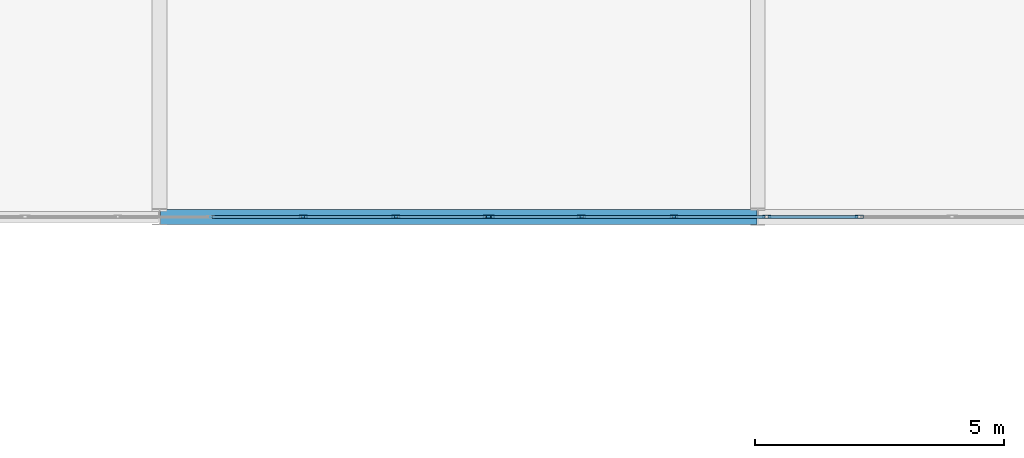
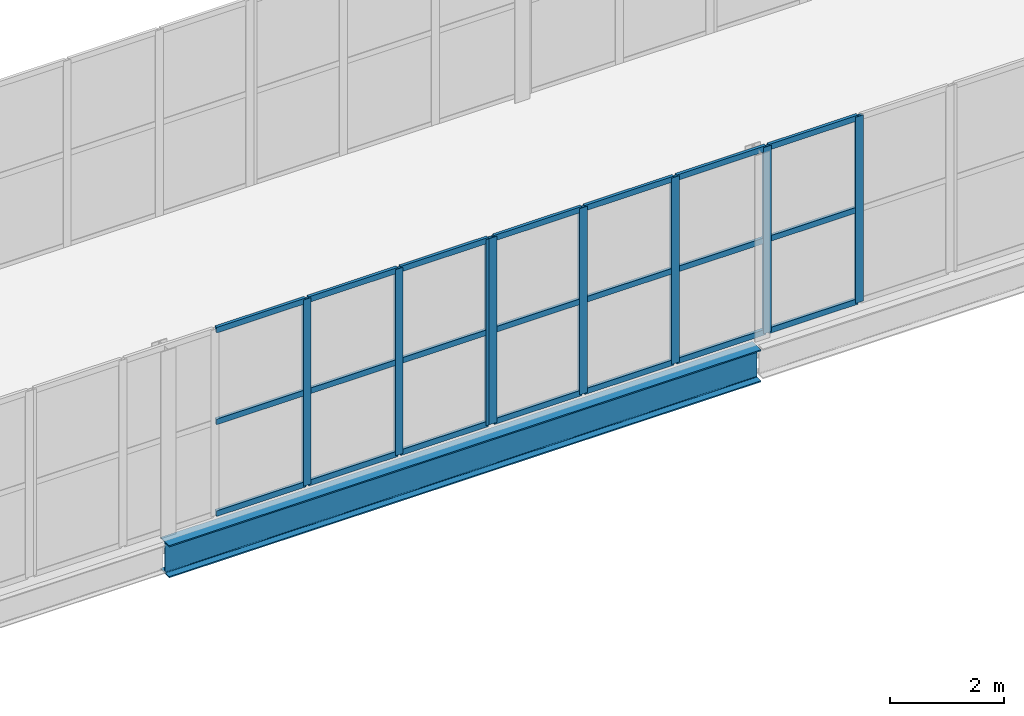
# One storey, part 51 of 138: 29 members, 1 beam, 2 elements without a shape of their own.
"""IFC4 building model written with IfcOpenShell, lengths in metres."""

from ifc_helpers import new_model, si_unit, direction, frame, origin, origin_2d, place, context, subcontext, project, spatial, hollow_rectangle, i_section, extrude, material, layer, layer_set, material_profile, profile_set, type_object, element, aggregate, save


model = new_model("IFC4")

# Units and contexts
model_context = context("Model", 3, precision=1e-05, world=origin(), true_north=direction((0.0, 1.0)))
body_context = subcontext(model_context, "Body", "Model", "MODEL_VIEW")
ifc_project = project(units=[si_unit("LENGTHUNIT", "METRE"), si_unit("AREAUNIT", "SQUARE_METRE"), si_unit("VOLUMEUNIT", "CUBIC_METRE"), si_unit("PLANEANGLEUNIT", "RADIAN"), si_unit("MASSUNIT", "GRAM", prefix="KILO")], contexts=[model_context])

# Site, building, storey
site_placement = place(None, origin())
site = spatial("IfcSite", under=ifc_project, at=site_placement, CompositionType="ELEMENT")
building_placement = place(site_placement, origin())
building = spatial("IfcBuilding", under=site, at=building_placement, Name="Vinh Khe Railworks Police Headquarters", CompositionType="ELEMENT")
storey_placement = place(building_placement, frame((0.0, 0.0, 9.0)))
storey = spatial("IfcBuildingStorey", under=building, at=storey_placement, Name="L02", CompositionType="ELEMENT", Elevation=9.0)

# Curtain wall, members
ifc_material_1 = material(Name="Anodised aluminium and solar-control glass", Category="aluminium")
ifc_layer = layer(ifc_material_1, 0.159912109375)
ifc_layer_set = layer_set([ifc_layer], Name="Anodised aluminium and solar-control glass")
curtain_wall_type = type_object("IfcCurtainWallType", Name="CW-SHOPFRONT", PredefinedType="USERDEFINED", material=ifc_layer_set)
curtain_wall_1_placement = place(storey_placement, origin())
curtain_wall_1 = element("IfcCurtainWall", 1, at=curtain_wall_1_placement, inside=storey, type_object=curtain_wall_type, Name="Link Bridge South Glazing L02 Bay 2", ObjectType="UNITISED GLAZING", PredefinedType="USERDEFINED")
ifc_material_2 = material(Name="Anodised aluminium 6063-T6", Category="aluminium")
ifc_material_profile_1 = material_profile(ifc_material_2, hollow_rectangle(XDim=0.06005859375, YDim=0.159912109375, WallThickness=0.00390625, at=origin_2d()), Name="CW-M 60x160x4")
ifc_profile_set_1 = profile_set([ifc_material_profile_1], Name="Anodised aluminium 6063-T6")
member_type_1 = type_object("IfcMemberType", Name="MULL-CWM-01", PredefinedType="MULLION", material=ifc_profile_set_1)
member_1_placement = place(storey_placement, frame((37.080078125, 96.0, 0.0), z_axis=(0.0, 0.0, 1.0), x_axis=(0.0, 1.0, 0.0)))
member_1 = element("IfcMember", 2, at=member_1_placement, type_object=member_type_1, Name="CW-03 mullion 4", PredefinedType="MULLION", context=body_context, shape_type="SweptSolid", body=[
    extrude(hollow_rectangle(XDim=0.06005859375, YDim=0.159912109375, WallThickness=0.00390625, at=origin_2d()), origin(), (0.0, 0.0, 1.0), 3.97998046875),
])
member_2_placement = place(storey_placement, frame((38.93994140625, 96.0, 0.0), z_axis=(0.0, 0.0, 1.0), x_axis=(0.0, 1.0, 0.0)))
member_2 = element("IfcMember", 3, at=member_2_placement, type_object=member_type_1, Name="CW-03 mullion 5", PredefinedType="MULLION", context=body_context, shape_type="SweptSolid", body=[
    extrude(hollow_rectangle(XDim=0.06005859375, YDim=0.159912109375, WallThickness=0.00390625, at=origin_2d()), origin(), (0.0, 0.0, 1.0), 3.97998046875),
])
member_3_placement = place(storey_placement, frame((40.77001953125, 96.0, 0.0), z_axis=(0.0, 0.0, 1.0), x_axis=(0.0, 1.0, 0.0)))
member_3 = element("IfcMember", 4, at=member_3_placement, type_object=member_type_1, Name="CW-03 mullion 6", PredefinedType="MULLION", context=body_context, shape_type="SweptSolid", body=[
    extrude(hollow_rectangle(XDim=0.06005859375, YDim=0.159912109375, WallThickness=0.00390625, at=origin_2d()), origin(), (0.0, 0.0, 1.0), 3.97998046875),
])

curtain_wall_2_placement = place(storey_placement, origin())
curtain_wall_2 = element("IfcCurtainWall", 5, at=curtain_wall_2_placement, inside=storey, type_object=curtain_wall_type, Name="Link Bridge South Glazing L02 Bay 3", ObjectType="UNITISED GLAZING", PredefinedType="USERDEFINED")
member_4_placement = place(storey_placement, frame((40.830078125, 96.0, 0.0), z_axis=(0.0, 0.0, 1.0), x_axis=(0.0, 1.0, 0.0)))
member_4 = element("IfcMember", 6, at=member_4_placement, type_object=member_type_1, Name="CW-03 mullion 1", PredefinedType="MULLION", context=body_context, shape_type="SweptSolid", body=[
    extrude(hollow_rectangle(XDim=0.06005859375, YDim=0.159912109375, WallThickness=0.00390625, at=origin_2d()), origin(), (0.0, 0.0, 1.0), 3.97998046875),
])
member_5_placement = place(storey_placement, frame((42.659912109375, 96.0, 0.0), z_axis=(0.0, 0.0, 1.0), x_axis=(0.0, 1.0, 0.0)))
member_5 = element("IfcMember", 7, at=member_5_placement, type_object=member_type_1, Name="CW-03 mullion 2", PredefinedType="MULLION", context=body_context, shape_type="SweptSolid", body=[
    extrude(hollow_rectangle(XDim=0.06005859375, YDim=0.159912109375, WallThickness=0.00390625, at=origin_2d()), origin(), (0.0, 0.0, 1.0), 3.97998046875),
])
member_6_placement = place(storey_placement, frame((44.52001953125, 96.0, 0.0), z_axis=(0.0, 0.0, 1.0), x_axis=(0.0, 1.0, 0.0)))
member_6 = element("IfcMember", 8, at=member_6_placement, type_object=member_type_1, Name="CW-03 mullion 3", PredefinedType="MULLION", context=body_context, shape_type="SweptSolid", body=[
    extrude(hollow_rectangle(XDim=0.06005859375, YDim=0.159912109375, WallThickness=0.00390625, at=origin_2d()), origin(), (0.0, 0.0, 1.0), 3.97998046875),
])
member_7_placement = place(storey_placement, frame((46.3798828125, 96.0, 0.0), z_axis=(0.0, 0.0, 1.0), x_axis=(0.0, 1.0, 0.0)))
member_7 = element("IfcMember", 9, at=member_7_placement, type_object=member_type_1, Name="CW-03 mullion 4", PredefinedType="MULLION", context=body_context, shape_type="SweptSolid", body=[
    extrude(hollow_rectangle(XDim=0.06005859375, YDim=0.159912109375, WallThickness=0.00390625, at=origin_2d()), origin(), (0.0, 0.0, 1.0), 3.97998046875),
])
member_8_placement = place(storey_placement, frame((48.239990234375, 96.0, 0.0), z_axis=(0.0, 0.0, 1.0), x_axis=(0.0, 1.0, 0.0)))
member_8 = element("IfcMember", 10, at=member_8_placement, type_object=member_type_1, Name="CW-03 mullion 5", PredefinedType="MULLION", context=body_context, shape_type="SweptSolid", body=[
    extrude(hollow_rectangle(XDim=0.06005859375, YDim=0.159912109375, WallThickness=0.00390625, at=origin_2d()), origin(), (0.0, 0.0, 1.0), 3.97998046875),
])

# Beam
ifc_material_3 = material(Name="Steel S355JR", Category="steel")
ifc_material_profile_2 = material_profile(ifc_material_3, i_section(OverallWidth=0.300048828125, OverallDepth=0.68994140625, WebThickness=0.014404296875, FlangeThickness=0.027099609375, FilletRadius=0.027099609375, at=origin_2d()), Name="HEA 700")
ifc_profile_set_2 = profile_set([ifc_material_profile_2], Name="Steel S355JR")
beam_type = type_object("IfcBeamType", Name="Steel Girder HEA 700", PredefinedType="BEAM", material=ifc_profile_set_2)
beam_placement = place(storey_placement, frame((34.219970703125, 96.0, -0.56494140625), z_axis=(1.0, 0.0, 0.0), x_axis=(0.0, 1.0, 0.0)))
element("IfcBeam", 11, at=beam_placement, inside=storey, type_object=beam_type, Name="Girder BM-L02-EW-SB-08-0808", PredefinedType="BEAM", context=body_context, shape_type="SweptSolid", body=[
    extrude(i_section(OverallWidth=0.300048828125, OverallDepth=0.68994140625, WebThickness=0.014404296875, FlangeThickness=0.027099609375, FilletRadius=0.027099609375, at=origin_2d()), origin(), (0.0, 0.0, 1.0), 11.9599609375),
])

# Member
ifc_material_profile_3 = material_profile(ifc_material_2, hollow_rectangle(XDim=0.06005859375, YDim=0.1201171875, WallThickness=0.00390625, at=origin_2d()), Name="CW-T 60x120x4")
ifc_profile_set_3 = profile_set([ifc_material_profile_3], Name="Anodised aluminium 6063-T6")
member_type_2 = type_object("IfcMemberType", Name="TRAN-CWT-01", PredefinedType="USERDEFINED", material=ifc_profile_set_3)
member_9_placement = place(storey_placement, frame((35.25, 96.0, 0.030029296875), z_axis=(1.0, 0.0, 0.0), x_axis=(0.0, 1.0, 0.0)))
member_9 = element("IfcMember", 12, at=member_9_placement, type_object=member_type_2, Name="CW-03 transom 3.1", ObjectType="TRANSOM", PredefinedType="USERDEFINED", context=body_context, shape_type="SweptSolid", body=[
    extrude(hollow_rectangle(XDim=0.06005859375, YDim=0.1201171875, WallThickness=0.00390625, at=origin_2d()), origin(), (0.0, 0.0, 1.0), 1.800048828125),
])

member_10_placement = place(storey_placement, frame((35.25, 96.0, 1.989990234375), z_axis=(1.0, 0.0, 0.0), x_axis=(0.0, 1.0, 0.0)))
member_10 = element("IfcMember", 13, at=member_10_placement, type_object=member_type_2, Name="CW-03 transom 3.2", ObjectType="TRANSOM", PredefinedType="USERDEFINED", context=body_context, shape_type="SweptSolid", body=[
    extrude(hollow_rectangle(XDim=0.06005859375, YDim=0.1201171875, WallThickness=0.00390625, at=origin_2d()), origin(), (0.0, 0.0, 1.0), 1.800048828125),
])

member_11_placement = place(storey_placement, frame((35.25, 96.0, 3.949951171875), z_axis=(1.0, 0.0, 0.0), x_axis=(0.0, 1.0, 0.0)))
member_11 = element("IfcMember", 14, at=member_11_placement, type_object=member_type_2, Name="CW-03 transom 3.3", ObjectType="TRANSOM", PredefinedType="USERDEFINED", context=body_context, shape_type="SweptSolid", body=[
    extrude(hollow_rectangle(XDim=0.06005859375, YDim=0.1201171875, WallThickness=0.00390625, at=origin_2d()), origin(), (0.0, 0.0, 1.0), 1.800048828125),
])

member_12_placement = place(storey_placement, frame((37.110107421875, 96.0, 0.030029296875), z_axis=(1.0, 0.0, 0.0), x_axis=(0.0, 1.0, 0.0)))
member_12 = element("IfcMember", 15, at=member_12_placement, type_object=member_type_2, Name="CW-03 transom 4.1", ObjectType="TRANSOM", PredefinedType="USERDEFINED", context=body_context, shape_type="SweptSolid", body=[
    extrude(hollow_rectangle(XDim=0.06005859375, YDim=0.1201171875, WallThickness=0.00390625, at=origin_2d()), origin(), (0.0, 0.0, 1.0), 1.7998046875),
])

member_13_placement = place(storey_placement, frame((37.110107421875, 96.0, 1.989990234375), z_axis=(1.0, 0.0, 0.0), x_axis=(0.0, 1.0, 0.0)))
member_13 = element("IfcMember", 16, at=member_13_placement, type_object=member_type_2, Name="CW-03 transom 4.2", ObjectType="TRANSOM", PredefinedType="USERDEFINED", context=body_context, shape_type="SweptSolid", body=[
    extrude(hollow_rectangle(XDim=0.06005859375, YDim=0.1201171875, WallThickness=0.00390625, at=origin_2d()), origin(), (0.0, 0.0, 1.0), 1.7998046875),
])

member_14_placement = place(storey_placement, frame((37.110107421875, 96.0, 3.949951171875), z_axis=(1.0, 0.0, 0.0), x_axis=(0.0, 1.0, 0.0)))
member_14 = element("IfcMember", 17, at=member_14_placement, type_object=member_type_2, Name="CW-03 transom 4.3", ObjectType="TRANSOM", PredefinedType="USERDEFINED", context=body_context, shape_type="SweptSolid", body=[
    extrude(hollow_rectangle(XDim=0.06005859375, YDim=0.1201171875, WallThickness=0.00390625, at=origin_2d()), origin(), (0.0, 0.0, 1.0), 1.7998046875),
])

member_15_placement = place(storey_placement, frame((38.969970703125, 96.0, 0.030029296875), z_axis=(1.0, 0.0, 0.0), x_axis=(0.0, 1.0, 0.0)))
member_15 = element("IfcMember", 18, at=member_15_placement, type_object=member_type_2, Name="CW-03 transom 5.1", ObjectType="TRANSOM", PredefinedType="USERDEFINED", context=body_context, shape_type="SweptSolid", body=[
    extrude(hollow_rectangle(XDim=0.06005859375, YDim=0.1201171875, WallThickness=0.00390625, at=origin_2d()), origin(), (0.0, 0.0, 1.0), 1.77001953125),
])

member_16_placement = place(storey_placement, frame((38.969970703125, 96.0, 1.989990234375), z_axis=(1.0, 0.0, 0.0), x_axis=(0.0, 1.0, 0.0)))
member_16 = element("IfcMember", 19, at=member_16_placement, type_object=member_type_2, Name="CW-03 transom 5.2", ObjectType="TRANSOM", PredefinedType="USERDEFINED", context=body_context, shape_type="SweptSolid", body=[
    extrude(hollow_rectangle(XDim=0.06005859375, YDim=0.1201171875, WallThickness=0.00390625, at=origin_2d()), origin(), (0.0, 0.0, 1.0), 1.77001953125),
])

member_17_placement = place(storey_placement, frame((38.969970703125, 96.0, 3.949951171875), z_axis=(1.0, 0.0, 0.0), x_axis=(0.0, 1.0, 0.0)))
member_17 = element("IfcMember", 20, at=member_17_placement, type_object=member_type_2, Name="CW-03 transom 5.3", ObjectType="TRANSOM", PredefinedType="USERDEFINED", context=body_context, shape_type="SweptSolid", body=[
    extrude(hollow_rectangle(XDim=0.06005859375, YDim=0.1201171875, WallThickness=0.00390625, at=origin_2d()), origin(), (0.0, 0.0, 1.0), 1.77001953125),
])

aggregate(curtain_wall_1, [member_1, member_2, member_3, member_9, member_10, member_11, member_12, member_13, member_14, member_15, member_16, member_17])

member_18_placement = place(storey_placement, frame((40.860107421875, 96.0, 0.030029296875), z_axis=(1.0, 0.0, 0.0), x_axis=(0.0, 1.0, 0.0)))
member_18 = element("IfcMember", 21, at=member_18_placement, type_object=member_type_2, Name="CW-03 transom 1.1", ObjectType="TRANSOM", PredefinedType="USERDEFINED", context=body_context, shape_type="SweptSolid", body=[
    extrude(hollow_rectangle(XDim=0.06005859375, YDim=0.1201171875, WallThickness=0.00390625, at=origin_2d()), origin(), (0.0, 0.0, 1.0), 1.769775390625),
])

member_19_placement = place(storey_placement, frame((40.860107421875, 96.0, 1.989990234375), z_axis=(1.0, 0.0, 0.0), x_axis=(0.0, 1.0, 0.0)))
member_19 = element("IfcMember", 22, at=member_19_placement, type_object=member_type_2, Name="CW-03 transom 1.2", ObjectType="TRANSOM", PredefinedType="USERDEFINED", context=body_context, shape_type="SweptSolid", body=[
    extrude(hollow_rectangle(XDim=0.06005859375, YDim=0.1201171875, WallThickness=0.00390625, at=origin_2d()), origin(), (0.0, 0.0, 1.0), 1.769775390625),
])

member_20_placement = place(storey_placement, frame((40.860107421875, 96.0, 3.949951171875), z_axis=(1.0, 0.0, 0.0), x_axis=(0.0, 1.0, 0.0)))
member_20 = element("IfcMember", 23, at=member_20_placement, type_object=member_type_2, Name="CW-03 transom 1.3", ObjectType="TRANSOM", PredefinedType="USERDEFINED", context=body_context, shape_type="SweptSolid", body=[
    extrude(hollow_rectangle(XDim=0.06005859375, YDim=0.1201171875, WallThickness=0.00390625, at=origin_2d()), origin(), (0.0, 0.0, 1.0), 1.769775390625),
])

member_21_placement = place(storey_placement, frame((42.68994140625, 96.0, 0.030029296875), z_axis=(1.0, 0.0, 0.0), x_axis=(0.0, 1.0, 0.0)))
member_21 = element("IfcMember", 24, at=member_21_placement, type_object=member_type_2, Name="CW-03 transom 2.1", ObjectType="TRANSOM", PredefinedType="USERDEFINED", context=body_context, shape_type="SweptSolid", body=[
    extrude(hollow_rectangle(XDim=0.06005859375, YDim=0.1201171875, WallThickness=0.00390625, at=origin_2d()), origin(), (0.0, 0.0, 1.0), 1.800048828125),
])

member_22_placement = place(storey_placement, frame((42.68994140625, 96.0, 1.989990234375), z_axis=(1.0, 0.0, 0.0), x_axis=(0.0, 1.0, 0.0)))
member_22 = element("IfcMember", 25, at=member_22_placement, type_object=member_type_2, Name="CW-03 transom 2.2", ObjectType="TRANSOM", PredefinedType="USERDEFINED", context=body_context, shape_type="SweptSolid", body=[
    extrude(hollow_rectangle(XDim=0.06005859375, YDim=0.1201171875, WallThickness=0.00390625, at=origin_2d()), origin(), (0.0, 0.0, 1.0), 1.800048828125),
])

member_23_placement = place(storey_placement, frame((42.68994140625, 96.0, 3.949951171875), z_axis=(1.0, 0.0, 0.0), x_axis=(0.0, 1.0, 0.0)))
member_23 = element("IfcMember", 26, at=member_23_placement, type_object=member_type_2, Name="CW-03 transom 2.3", ObjectType="TRANSOM", PredefinedType="USERDEFINED", context=body_context, shape_type="SweptSolid", body=[
    extrude(hollow_rectangle(XDim=0.06005859375, YDim=0.1201171875, WallThickness=0.00390625, at=origin_2d()), origin(), (0.0, 0.0, 1.0), 1.800048828125),
])

member_24_placement = place(storey_placement, frame((44.550048828125, 96.0, 0.030029296875), z_axis=(1.0, 0.0, 0.0), x_axis=(0.0, 1.0, 0.0)))
member_24 = element("IfcMember", 27, at=member_24_placement, type_object=member_type_2, Name="CW-03 transom 3.1", ObjectType="TRANSOM", PredefinedType="USERDEFINED", context=body_context, shape_type="SweptSolid", body=[
    extrude(hollow_rectangle(XDim=0.06005859375, YDim=0.1201171875, WallThickness=0.00390625, at=origin_2d()), origin(), (0.0, 0.0, 1.0), 1.800048828125),
])

member_25_placement = place(storey_placement, frame((44.550048828125, 96.0, 1.989990234375), z_axis=(1.0, 0.0, 0.0), x_axis=(0.0, 1.0, 0.0)))
member_25 = element("IfcMember", 28, at=member_25_placement, type_object=member_type_2, Name="CW-03 transom 3.2", ObjectType="TRANSOM", PredefinedType="USERDEFINED", context=body_context, shape_type="SweptSolid", body=[
    extrude(hollow_rectangle(XDim=0.06005859375, YDim=0.1201171875, WallThickness=0.00390625, at=origin_2d()), origin(), (0.0, 0.0, 1.0), 1.800048828125),
])

member_26_placement = place(storey_placement, frame((44.550048828125, 96.0, 3.949951171875), z_axis=(1.0, 0.0, 0.0), x_axis=(0.0, 1.0, 0.0)))
member_26 = element("IfcMember", 29, at=member_26_placement, type_object=member_type_2, Name="CW-03 transom 3.3", ObjectType="TRANSOM", PredefinedType="USERDEFINED", context=body_context, shape_type="SweptSolid", body=[
    extrude(hollow_rectangle(XDim=0.06005859375, YDim=0.1201171875, WallThickness=0.00390625, at=origin_2d()), origin(), (0.0, 0.0, 1.0), 1.800048828125),
])

member_27_placement = place(storey_placement, frame((46.409912109375, 96.0, 0.030029296875), z_axis=(1.0, 0.0, 0.0), x_axis=(0.0, 1.0, 0.0)))
member_27 = element("IfcMember", 30, at=member_27_placement, type_object=member_type_2, Name="CW-03 transom 4.1", ObjectType="TRANSOM", PredefinedType="USERDEFINED", context=body_context, shape_type="SweptSolid", body=[
    extrude(hollow_rectangle(XDim=0.06005859375, YDim=0.1201171875, WallThickness=0.00390625, at=origin_2d()), origin(), (0.0, 0.0, 1.0), 1.800048828125),
])

member_28_placement = place(storey_placement, frame((46.409912109375, 96.0, 1.989990234375), z_axis=(1.0, 0.0, 0.0), x_axis=(0.0, 1.0, 0.0)))
member_28 = element("IfcMember", 31, at=member_28_placement, type_object=member_type_2, Name="CW-03 transom 4.2", ObjectType="TRANSOM", PredefinedType="USERDEFINED", context=body_context, shape_type="SweptSolid", body=[
    extrude(hollow_rectangle(XDim=0.06005859375, YDim=0.1201171875, WallThickness=0.00390625, at=origin_2d()), origin(), (0.0, 0.0, 1.0), 1.800048828125),
])

member_29_placement = place(storey_placement, frame((46.409912109375, 96.0, 3.949951171875), z_axis=(1.0, 0.0, 0.0), x_axis=(0.0, 1.0, 0.0)))
member_29 = element("IfcMember", 32, at=member_29_placement, type_object=member_type_2, Name="CW-03 transom 4.3", ObjectType="TRANSOM", PredefinedType="USERDEFINED", context=body_context, shape_type="SweptSolid", body=[
    extrude(hollow_rectangle(XDim=0.06005859375, YDim=0.1201171875, WallThickness=0.00390625, at=origin_2d()), origin(), (0.0, 0.0, 1.0), 1.800048828125),
])

aggregate(curtain_wall_2, [member_4, member_5, member_6, member_7, member_8, member_18, member_19, member_20, member_21, member_22, member_23, member_24, member_25, member_26, member_27, member_28, member_29])

save(model, "model.ifc")
